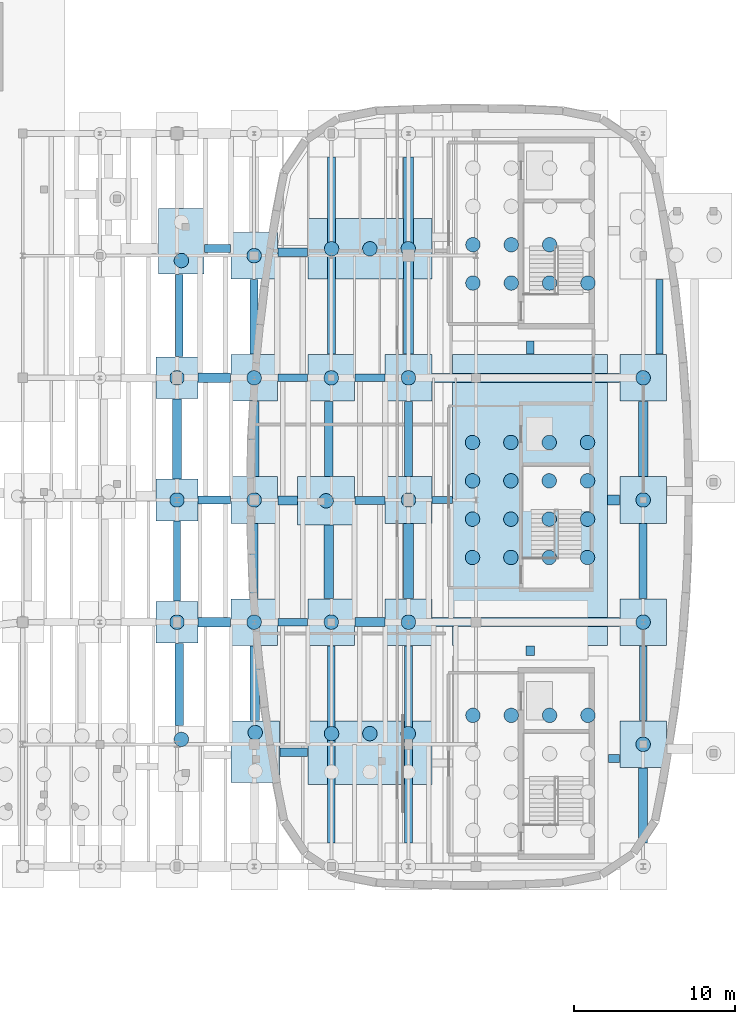
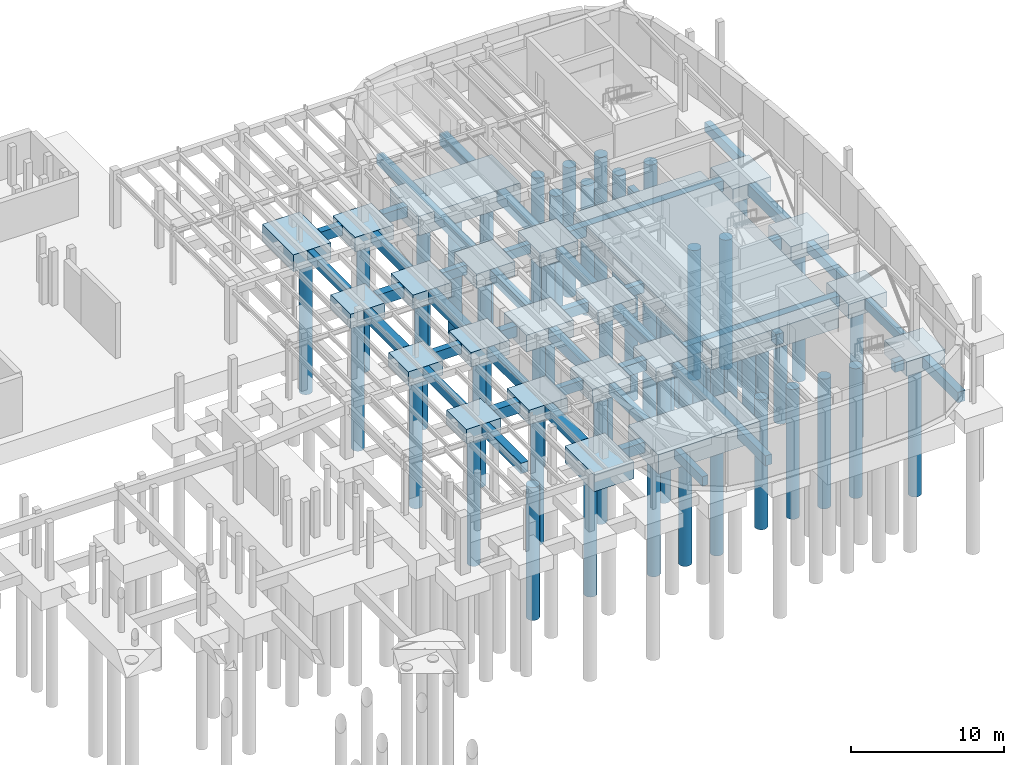
# One storey, part 7 of 45: 62 footings, 53 piles.
"""IFC4 building model written with IfcOpenShell, lengths in metres."""

from ifc_helpers import new_model, si_unit, direction, frame, origin, origin_2d, place, context, subcontext, project, spatial, rectangle, circle, extrude, material, material_profile, profile_set, type_object, element, save


model = new_model("IFC4")

# Units and contexts
model_context = context("Model", 3, precision=1e-05, world=origin(), true_north=direction((0.0, 1.0)))
body_context = subcontext(model_context, "Body", "Model", "MODEL_VIEW")
ifc_project = project(units=[si_unit("LENGTHUNIT", "METRE"), si_unit("AREAUNIT", "SQUARE_METRE"), si_unit("VOLUMEUNIT", "CUBIC_METRE"), si_unit("PLANEANGLEUNIT", "RADIAN"), si_unit("MASSUNIT", "GRAM", prefix="KILO")], contexts=[model_context])

# Site, building, storey
site_placement = place(None, origin())
site = spatial("IfcSite", under=ifc_project, at=site_placement, CompositionType="ELEMENT")
building_placement = place(site_placement, origin())
building = spatial("IfcBuilding", under=site, at=building_placement, Name="Corveleigh Park Community Centre", CompositionType="ELEMENT")
storey_placement = place(building_placement, frame((0.0, 0.0, -4.199951171875)))
storey = spatial("IfcBuildingStorey", under=building, at=storey_placement, Name="B1", CompositionType="ELEMENT", Elevation=-4.199951171875)

# Footings
ifc_material_1 = material(Name="Concrete C40/50", Category="concrete")
footing_type_1 = type_object("IfcFootingType", Name="FTG-GB-450x750", PredefinedType="FOOTING_BEAM", material=ifc_material_1)
footing_1_placement = place(storey_placement, frame((139.39990234375, 77.60009765625, -1.1650390625), z_axis=(0.0, 0.0, 1.0), x_axis=(1.0, 0.0, 0.0)))
element("IfcFooting", 1, at=footing_1_placement, inside=storey, type_object=footing_type_1, Name="Ground tie beam 173", PredefinedType="FOOTING_BEAM", context=body_context, shape_type="SweptSolid", body=[
    extrude(rectangle(XDim=0.449951171875, YDim=4.9599609375, at=origin_2d()), origin(), (0.0, 0.0, 1.0), 0.75),
])
footing_2_placement = place(storey_placement, frame((139.535888671875, 92.875, -1.1650390625), z_axis=(0.0, 0.0, 1.0), x_axis=(1.0, 0.0, 0.0)))
element("IfcFooting", 2, at=footing_2_placement, inside=storey, type_object=footing_type_1, Name="Ground tie beam 177", PredefinedType="FOOTING_BEAM", context=body_context, shape_type="SweptSolid", body=[
    extrude(rectangle(XDim=0.449951171875, YDim=5.110107421875, at=origin_2d()), origin(), (0.0, 0.0, 1.0), 0.75),
])
for number, where, z_axis, x_axis, name in (
    (3, (146.60009765625, 73.800048828125, -1.1650390625), (0.0, 0.0, 1.0), (1.0, 0.0, 0.0), "Ground tie beam 185"),
    (4, (146.60009765625, 89.0, -1.1650390625), (0.0, 0.0, 1.0), (1.0, 0.0, 0.0), "Ground tie beam 189"),
):
    element("IfcFooting", number, at=place(storey_placement, frame(where, z_axis=z_axis, x_axis=x_axis)), inside=storey, type_object=footing_type_1, Name=name, PredefinedType="FOOTING_BEAM", context=body_context, shape_type="SweptSolid", body=[
        extrude(rectangle(XDim=1.860107421875, YDim=0.449951171875, at=origin_2d()), origin(), (0.0, 0.0, 1.0), 0.75),
    ])
footing_3_placement = place(storey_placement, frame((149.0, 66.199951171875, -1.1650390625), z_axis=(0.0, 0.0, 1.0), x_axis=(1.0, 0.0, 0.0)))
element("IfcFooting", 5, at=footing_3_placement, inside=storey, type_object=footing_type_1, Name="Ground tie beam 197", PredefinedType="FOOTING_BEAM", context=body_context, shape_type="SweptSolid", body=[
    extrude(rectangle(XDim=0.449951171875, YDim=12.260009765625, at=origin_2d()), origin(), (0.0, 0.0, 1.0), 0.75),
])
footing_4_placement = place(storey_placement, frame((151.39990234375, 89.0, -1.1650390625), z_axis=(0.0, 0.0, 1.0), x_axis=(1.0, 0.0, 0.0)))
element("IfcFooting", 6, at=footing_4_placement, inside=storey, type_object=footing_type_1, Name="Ground tie beam 201", PredefinedType="FOOTING_BEAM", context=body_context, shape_type="SweptSolid", body=[
    extrude(rectangle(XDim=1.860107421875, YDim=0.449951171875, at=origin_2d()), origin(), (0.0, 0.0, 1.0), 0.75),
])
footing_5_placement = place(storey_placement, frame((155.89990234375, 81.39990234375, -1.1650390625), z_axis=(0.0, 0.0, 1.0), x_axis=(1.0, 0.0, 0.0)))
element("IfcFooting", 7, at=footing_5_placement, inside=storey, type_object=footing_type_1, Name="Ground tie beam 209", PredefinedType="FOOTING_BEAM", context=body_context, shape_type="SweptSolid", body=[
    extrude(rectangle(XDim=1.260009765625, YDim=0.449951171875, at=origin_2d()), origin(), (0.0, 0.0, 1.0), 0.75),
])
footing_6_placement = place(storey_placement, frame((161.375, 90.875, -1.1650390625), z_axis=(0.0, 0.0, 1.0), x_axis=(1.0, 0.0, 0.0)))
element("IfcFooting", 8, at=footing_6_placement, inside=storey, type_object=footing_type_1, Name="Ground tie beam 217", PredefinedType="FOOTING_BEAM", context=body_context, shape_type="SweptSolid", body=[
    extrude(rectangle(XDim=0.449951171875, YDim=0.81005859375, at=origin_2d()), origin(), (0.0, 0.0, 1.0), 0.75),
])
for number, where, z_axis, x_axis, name in (
    (9, (168.39990234375, 70.0, -1.1650390625), (0.0, 0.0, 1.0), (1.0, 0.0, 0.0), "Ground tie beam 221"),
    (10, (169.4208984375, 92.800048828125, -1.1650390625), (0.0, 0.0, 1.0), (1.0, 0.0, 0.0), "Ground tie beam 225"),
):
    element("IfcFooting", number, at=place(storey_placement, frame(where, z_axis=z_axis, x_axis=x_axis)), inside=storey, type_object=footing_type_1, Name=name, PredefinedType="FOOTING_BEAM", context=body_context, shape_type="SweptSolid", body=[
        extrude(rectangle(XDim=0.449951171875, YDim=4.659912109375, at=origin_2d()), origin(), (0.0, 0.0, 1.0), 0.75),
    ])
footing_type_2 = type_object("IfcFootingType", Name="FTG-GB-500x800", PredefinedType="FOOTING_BEAM", material=ifc_material_1)
footing_7_placement = place(storey_placement, frame((141.72509765625, 81.39990234375, -1.21484375), z_axis=(0.0, 0.0, 1.0), x_axis=(1.0, 0.0, 0.0)))
element("IfcFooting", 11, at=footing_7_placement, inside=storey, type_object=footing_type_2, Name="Ground tie beam 174", PredefinedType="FOOTING_BEAM", context=body_context, shape_type="SweptSolid", body=[
    extrude(rectangle(XDim=2.010009765625, YDim=0.5, at=origin_2d()), origin(), (0.0, 0.0, 1.0), 0.800048828125),
])
footing_8_placement = place(storey_placement, frame((141.9208984375, 97.0439453125, -1.21484375), z_axis=(0.0, 0.0, 1.0), x_axis=(1.0, 0.0, 0.0)))
element("IfcFooting", 12, at=footing_8_placement, inside=storey, type_object=footing_type_2, Name="Ground tie beam 178", PredefinedType="FOOTING_BEAM", context=body_context, shape_type="SweptSolid", body=[
    extrude(rectangle(XDim=1.618896484375, YDim=0.5, at=origin_2d()), origin(), (0.0, 0.0, 1.0), 0.800048828125),
])
for number, where, z_axis, x_axis, name in (
    (13, (144.199951171875, 77.60009765625, -1.21484375), (0.0, 0.0, 1.0), (1.0, 0.0, 0.0), "Ground tie beam 186"),
    (14, (144.199951171875, 92.800048828125, -1.21484375), (0.0, 0.0, 1.0), (1.0, 0.0, 0.0), "Ground tie beam 190"),
):
    element("IfcFooting", number, at=place(storey_placement, frame(where, z_axis=z_axis, x_axis=x_axis)), inside=storey, type_object=footing_type_2, Name=name, PredefinedType="FOOTING_BEAM", context=body_context, shape_type="SweptSolid", body=[
        extrude(rectangle(XDim=0.5, YDim=4.659912109375, at=origin_2d()), origin(), (0.0, 0.0, 1.0), 0.800048828125),
    ])
footing_9_placement = place(storey_placement, frame((151.39990234375, 81.375, -1.21484375), z_axis=(0.0, 0.0, 1.0), x_axis=(1.0, 0.0, 0.0)))
element("IfcFooting", 15, at=footing_9_placement, inside=storey, type_object=footing_type_2, Name="Ground tie beam 194", PredefinedType="FOOTING_BEAM", context=body_context, shape_type="SweptSolid", body=[
    extrude(rectangle(XDim=1.860107421875, YDim=0.5, at=origin_2d()), origin(), (0.0, 0.0, 1.0), 0.800048828125),
])
for number, where, z_axis, x_axis, name in (
    (16, (149.0, 96.60009765625, -1.21484375), (0.0, 0.0, 1.0), (1.0, 0.0, 0.0), "Ground tie beam 202"),
    (17, (153.800048828125, 66.199951171875, -1.21484375), (0.0, 0.0, 1.0), (1.0, 0.0, 0.0), "Ground tie beam 206"),
):
    element("IfcFooting", number, at=place(storey_placement, frame(where, z_axis=z_axis, x_axis=x_axis)), inside=storey, type_object=footing_type_2, Name=name, PredefinedType="FOOTING_BEAM", context=body_context, shape_type="SweptSolid", body=[
        extrude(rectangle(XDim=0.5, YDim=12.260009765625, at=origin_2d()), origin(), (0.0, 0.0, 1.0), 0.800048828125),
    ])
footing_10_placement = place(storey_placement, frame((153.800048828125, 85.199951171875, -1.21484375), z_axis=(0.0, 0.0, 1.0), x_axis=(1.0, 0.0, 0.0)))
element("IfcFooting", 18, at=footing_10_placement, inside=storey, type_object=footing_type_2, Name="Ground tie beam 210", PredefinedType="FOOTING_BEAM", context=body_context, shape_type="SweptSolid", body=[
    extrude(rectangle(XDim=0.5, YDim=4.659912109375, at=origin_2d()), origin(), (0.0, 0.0, 1.0), 0.800048828125),
])
footing_11_placement = place(storey_placement, frame((166.5869140625, 65.31201171875, -1.21484375), z_axis=(0.0, 0.0, 1.0), x_axis=(1.0, 0.0, 0.0)))
element("IfcFooting", 19, at=footing_11_placement, inside=storey, type_object=footing_type_2, Name="Ground tie beam 214", PredefinedType="FOOTING_BEAM", context=body_context, shape_type="SweptSolid", body=[
    extrude(rectangle(XDim=0.68603515625, YDim=0.5, at=origin_2d()), origin(), (0.0, 0.0, 1.0), 0.800048828125),
])
footing_12_placement = place(storey_placement, frame((168.39990234375, 77.60009765625, -1.21484375), z_axis=(0.0, 0.0, 1.0), x_axis=(1.0, 0.0, 0.0)))
element("IfcFooting", 20, at=footing_12_placement, inside=storey, type_object=footing_type_2, Name="Ground tie beam 222", PredefinedType="FOOTING_BEAM", context=body_context, shape_type="SweptSolid", body=[
    extrude(rectangle(XDim=0.5, YDim=4.659912109375, at=origin_2d()), origin(), (0.0, 0.0, 1.0), 0.800048828125),
])
footing_type_3 = type_object("IfcFootingType", Name="FTG-GB-550x850", PredefinedType="FOOTING_BEAM", material=ifc_material_1)
footing_13_placement = place(storey_placement, frame((139.535888671875, 69.925048828125, -1.26513671875), z_axis=(0.0, 0.0, 1.0), x_axis=(1.0, 0.0, 0.0)))
element("IfcFooting", 21, at=footing_13_placement, inside=storey, type_object=footing_type_3, Name="Ground tie beam 171", PredefinedType="FOOTING_BEAM", context=body_context, shape_type="SweptSolid", body=[
    extrude(rectangle(XDim=0.550048828125, YDim=5.110107421875, at=origin_2d()), origin(), (0.0, 0.0, 1.0), 0.85009765625),
])
footing_14_placement = place(storey_placement, frame((139.39990234375, 85.199951171875, -1.26513671875), z_axis=(0.0, 0.0, 1.0), x_axis=(1.0, 0.0, 0.0)))
element("IfcFooting", 22, at=footing_14_placement, inside=storey, type_object=footing_type_3, Name="Ground tie beam 175", PredefinedType="FOOTING_BEAM", context=body_context, shape_type="SweptSolid", body=[
    extrude(rectangle(XDim=0.550048828125, YDim=4.9599609375, at=origin_2d()), origin(), (0.0, 0.0, 1.0), 0.85009765625),
])
footing_15_placement = place(storey_placement, frame((146.6640625, 65.7041015625, -1.26513671875), z_axis=(0.0, 0.0, 1.0), x_axis=(1.0, 0.0, 0.0)))
element("IfcFooting", 23, at=footing_15_placement, inside=storey, type_object=footing_type_3, Name="Ground tie beam 183", PredefinedType="FOOTING_BEAM", context=body_context, shape_type="SweptSolid", body=[
    extrude(rectangle(XDim=1.73193359375, YDim=0.550048828125, at=origin_2d()), origin(), (0.0, 0.0, 1.0), 0.85009765625),
])
footing_16_placement = place(storey_placement, frame((146.277099609375, 81.375, -1.26513671875), z_axis=(0.0, 0.0, 1.0), x_axis=(1.0, 0.0, 0.0)))
element("IfcFooting", 24, at=footing_16_placement, inside=storey, type_object=footing_type_3, Name="Ground tie beam 187", PredefinedType="FOOTING_BEAM", context=body_context, shape_type="SweptSolid", body=[
    extrude(rectangle(XDim=1.214111328125, YDim=0.550048828125, at=origin_2d()), origin(), (0.0, 0.0, 1.0), 0.85009765625),
])
footing_17_placement = place(storey_placement, frame((146.60009765625, 96.81396484375, -1.26513671875), z_axis=(0.0, 0.0, 1.0), x_axis=(1.0, 0.0, 0.0)))
element("IfcFooting", 25, at=footing_17_placement, inside=storey, type_object=footing_type_3, Name="Ground tie beam 191", PredefinedType="FOOTING_BEAM", context=body_context, shape_type="SweptSolid", body=[
    extrude(rectangle(XDim=1.860107421875, YDim=0.550048828125, at=origin_2d()), origin(), (0.0, 0.0, 1.0), 0.85009765625),
])
footing_18_placement = place(storey_placement, frame((148.839111328125, 85.199951171875, -1.26513671875), z_axis=(0.0, 0.0, 1.0), x_axis=(1.0, 0.0, 0.0)))
element("IfcFooting", 26, at=footing_18_placement, inside=storey, type_object=footing_type_3, Name="Ground tie beam 195", PredefinedType="FOOTING_BEAM", context=body_context, shape_type="SweptSolid", body=[
    extrude(rectangle(XDim=0.550048828125, YDim=4.659912109375, at=origin_2d()), origin(), (0.0, 0.0, 1.0), 0.85009765625),
])
footing_19_placement = place(storey_placement, frame((151.39990234375, 73.800048828125, -1.26513671875), z_axis=(0.0, 0.0, 1.0), x_axis=(1.0, 0.0, 0.0)))
element("IfcFooting", 27, at=footing_19_placement, inside=storey, type_object=footing_type_3, Name="Ground tie beam 199", PredefinedType="FOOTING_BEAM", context=body_context, shape_type="SweptSolid", body=[
    extrude(rectangle(XDim=1.860107421875, YDim=0.550048828125, at=origin_2d()), origin(), (0.0, 0.0, 1.0), 0.85009765625),
])
for number, where, z_axis, x_axis, name in (
    (28, (161.10009765625, 73.800048828125, -1.26513671875), (0.0, 0.0, 1.0), (1.0, 0.0, 0.0), "Ground tie beam 207"),
    (29, (161.10009765625, 89.0, -1.26513671875), (0.0, 0.0, 1.0), (1.0, 0.0, 0.0), "Ground tie beam 211"),
):
    element("IfcFooting", number, at=place(storey_placement, frame(where, z_axis=z_axis, x_axis=x_axis)), inside=storey, type_object=footing_type_3, Name=name, PredefinedType="FOOTING_BEAM", context=body_context, shape_type="SweptSolid", body=[
        extrude(rectangle(XDim=11.659912109375, YDim=0.550048828125, at=origin_2d()), origin(), (0.0, 0.0, 1.0), 0.85009765625),
    ])
footing_20_placement = place(storey_placement, frame((161.375, 72.02490234375, -1.26513671875), z_axis=(0.0, 0.0, 1.0), x_axis=(1.0, 0.0, 0.0)))
element("IfcFooting", 30, at=footing_20_placement, inside=storey, type_object=footing_type_3, Name="Ground tie beam 215", PredefinedType="FOOTING_BEAM", context=body_context, shape_type="SweptSolid", body=[
    extrude(rectangle(XDim=0.550048828125, YDim=0.610107421875, at=origin_2d()), origin(), (0.0, 0.0, 1.0), 0.85009765625),
])
footing_21_placement = place(storey_placement, frame((168.39990234375, 62.39990234375, -1.26513671875), z_axis=(0.0, 0.0, 1.0), x_axis=(1.0, 0.0, 0.0)))
element("IfcFooting", 31, at=footing_21_placement, inside=storey, type_object=footing_type_3, Name="Ground tie beam 219", PredefinedType="FOOTING_BEAM", context=body_context, shape_type="SweptSolid", body=[
    extrude(rectangle(XDim=0.550048828125, YDim=4.659912109375, at=origin_2d()), origin(), (0.0, 0.0, 1.0), 0.85009765625),
])
footing_type_4 = type_object("IfcFootingType", Name="FTG-GB-600x900", PredefinedType="FOOTING_BEAM", material=ifc_material_1)
for number, where, z_axis, x_axis, name in (
    (32, (141.72509765625, 73.800048828125, -1.31494140625), (0.0, 0.0, 1.0), (1.0, 0.0, 0.0), "Ground tie beam 172"),
    (33, (141.72509765625, 89.0, -1.31494140625), (0.0, 0.0, 1.0), (1.0, 0.0, 0.0), "Ground tie beam 176"),
):
    element("IfcFooting", number, at=place(storey_placement, frame(where, z_axis=z_axis, x_axis=x_axis)), inside=storey, type_object=footing_type_4, Name=name, PredefinedType="FOOTING_BEAM", context=body_context, shape_type="SweptSolid", body=[
        extrude(rectangle(XDim=2.010009765625, YDim=0.60009765625, at=origin_2d()), origin(), (0.0, 0.0, 1.0), 0.89990234375),
    ])
for number, where, z_axis, x_axis, name in (
    (34, (144.23193359375, 70.0, -1.31494140625), (0.0, 0.0, 1.0), (1.0, 0.0, 0.0), "Ground tie beam 184"),
    (35, (144.199951171875, 85.199951171875, -1.31494140625), (0.0, 0.0, 1.0), (1.0, 0.0, 0.0), "Ground tie beam 188"),
):
    element("IfcFooting", number, at=place(storey_placement, frame(where, z_axis=z_axis, x_axis=x_axis)), inside=storey, type_object=footing_type_4, Name=name, PredefinedType="FOOTING_BEAM", context=body_context, shape_type="SweptSolid", body=[
        extrude(rectangle(XDim=0.60009765625, YDim=4.659912109375, at=origin_2d()), origin(), (0.0, 0.0, 1.0), 0.89990234375),
    ])
footing_22_placement = place(storey_placement, frame((148.839111328125, 77.550048828125, -1.31494140625), z_axis=(0.0, 0.0, 1.0), x_axis=(1.0, 0.0, 0.0)))
element("IfcFooting", 36, at=footing_22_placement, inside=storey, type_object=footing_type_4, Name="Ground tie beam 200", PredefinedType="FOOTING_BEAM", context=body_context, shape_type="SweptSolid", body=[
    extrude(rectangle(XDim=0.60009765625, YDim=4.56005859375, at=origin_2d()), origin(), (0.0, 0.0, 1.0), 0.89990234375),
])
footing_23_placement = place(storey_placement, frame((153.800048828125, 77.60009765625, -1.31494140625), z_axis=(0.0, 0.0, 1.0), x_axis=(1.0, 0.0, 0.0)))
element("IfcFooting", 37, at=footing_23_placement, inside=storey, type_object=footing_type_4, Name="Ground tie beam 208", PredefinedType="FOOTING_BEAM", context=body_context, shape_type="SweptSolid", body=[
    extrude(rectangle(XDim=0.60009765625, YDim=4.659912109375, at=origin_2d()), origin(), (0.0, 0.0, 1.0), 0.89990234375),
])
footing_24_placement = place(storey_placement, frame((153.800048828125, 96.60009765625, -1.31494140625), z_axis=(0.0, 0.0, 1.0), x_axis=(1.0, 0.0, 0.0)))
element("IfcFooting", 38, at=footing_24_placement, inside=storey, type_object=footing_type_4, Name="Ground tie beam 212", PredefinedType="FOOTING_BEAM", context=body_context, shape_type="SweptSolid", body=[
    extrude(rectangle(XDim=0.60009765625, YDim=12.260009765625, at=origin_2d()), origin(), (0.0, 0.0, 1.0), 0.89990234375),
])
footing_25_placement = place(storey_placement, frame((166.56298828125, 81.39990234375, -1.31494140625), z_axis=(0.0, 0.0, 1.0), x_axis=(1.0, 0.0, 0.0)))
element("IfcFooting", 39, at=footing_25_placement, inside=storey, type_object=footing_type_4, Name="Ground tie beam 216", PredefinedType="FOOTING_BEAM", context=body_context, shape_type="SweptSolid", body=[
    extrude(rectangle(XDim=0.735107421875, YDim=0.60009765625, at=origin_2d()), origin(), (0.0, 0.0, 1.0), 0.89990234375),
])
footing_26_placement = place(storey_placement, frame((168.39990234375, 85.199951171875, -1.31494140625), z_axis=(0.0, 0.0, 1.0), x_axis=(1.0, 0.0, 0.0)))
element("IfcFooting", 40, at=footing_26_placement, inside=storey, type_object=footing_type_4, Name="Ground tie beam 224", PredefinedType="FOOTING_BEAM", context=body_context, shape_type="SweptSolid", body=[
    extrude(rectangle(XDim=0.60009765625, YDim=4.659912109375, at=origin_2d()), origin(), (0.0, 0.0, 1.0), 0.89990234375),
])
footing_type_5 = type_object("IfcFootingType", Name="FTG-PC-2600x2600x1150", PredefinedType="PILE_CAP", material=ifc_material_1)
for number, where, z_axis, x_axis, name in (
    (41, (139.39990234375, 73.800048828125, -1.56494140625), (0.0, 0.0, 1.0), (1.0, 0.0, 0.0), "Pile cap 135"),
    (42, (139.39990234375, 81.39990234375, -1.56494140625), (0.0, 0.0, 1.0), (1.0, 0.0, 0.0), "Pile cap 136"),
    (43, (139.39990234375, 89.0, -1.56494140625), (0.0, 0.0, 1.0), (1.0, 0.0, 0.0), "Pile cap 137"),
):
    element("IfcFooting", number, at=place(storey_placement, frame(where, z_axis=z_axis, x_axis=x_axis)), inside=storey, type_object=footing_type_5, Name=name, PredefinedType="PILE_CAP", context=body_context, shape_type="SweptSolid", body=[
        extrude(rectangle(XDim=2.60009765625, YDim=2.60009765625, at=origin_2d()), origin(), (0.0, 0.0, 1.0), 1.14990234375),
    ])
for number, where, z_axis, x_axis, name in (
    (44, (144.199951171875, 73.800048828125, -1.56494140625), (0.0, 0.0, 1.0), (1.0, 0.0, 0.0), "Pile cap 142"),
    (45, (144.199951171875, 81.39990234375, -1.56494140625), (0.0, 0.0, 1.0), (1.0, 0.0, 0.0), "Pile cap 143"),
    (46, (144.199951171875, 89.0, -1.56494140625), (0.0, 0.0, 1.0), (1.0, 0.0, 0.0), "Pile cap 144"),
    (47, (144.199951171875, 96.60009765625, -1.56494140625), (0.0, 0.0, 1.0), (1.0, 0.0, 0.0), "Pile cap 145"),
    (48, (149.0, 73.800048828125, -1.56494140625), (0.0, 0.0, 1.0), (1.0, 0.0, 0.0), "Pile cap 150"),
    (49, (149.0, 89.0, -1.56494140625), (0.0, 0.0, 1.0), (1.0, 0.0, 0.0), "Pile cap 151"),
    (50, (153.800048828125, 73.800048828125, -1.56494140625), (0.0, 0.0, 1.0), (1.0, 0.0, 0.0), "Pile cap 155"),
    (51, (153.800048828125, 81.39990234375, -1.56494140625), (0.0, 0.0, 1.0), (1.0, 0.0, 0.0), "Pile cap 156"),
    (52, (153.800048828125, 89.0, -1.56494140625), (0.0, 0.0, 1.0), (1.0, 0.0, 0.0), "Pile cap 157"),
    (53, (168.39990234375, 66.199951171875, -1.56494140625), (0.0, 0.0, 1.0), (1.0, 0.0, 0.0), "Pile cap 163"),
    (54, (168.39990234375, 73.800048828125, -1.56494140625), (0.0, 0.0, 1.0), (1.0, 0.0, 0.0), "Pile cap 164"),
    (55, (168.39990234375, 81.39990234375, -1.56494140625), (0.0, 0.0, 1.0), (1.0, 0.0, 0.0), "Pile cap 165"),
    (56, (168.39990234375, 89.0, -1.56494140625), (0.0, 0.0, 1.0), (1.0, 0.0, 0.0), "Pile cap 166"),
):
    element("IfcFooting", number, at=place(storey_placement, frame(where, z_axis=z_axis, x_axis=x_axis)), inside=storey, type_object=footing_type_5, Name=name, PredefinedType="PILE_CAP", context=body_context, shape_type="SweptSolid", body=[
        extrude(rectangle(XDim=2.89990234375, YDim=2.89990234375, at=origin_2d()), origin(), (0.0, 0.0, 1.0), 1.14990234375),
    ])
footing_type_6 = type_object("IfcFootingType", Name="FTG-PC-3800x3200x1350", PredefinedType="PILE_CAP", material=ifc_material_1)
footing_27_placement = place(storey_placement, frame((139.6708984375, 97.488037109375, -1.76513671875), z_axis=(0.0, 0.0, 1.0), x_axis=(1.0, 0.0, 0.0)))
element("IfcFooting", 57, at=footing_27_placement, inside=storey, type_object=footing_type_6, Name="Pile cap 138", PredefinedType="PILE_CAP", context=body_context, shape_type="SweptSolid", body=[
    extrude(rectangle(XDim=2.841064453125, YDim=4.075927734375, at=origin_2d()), origin(), (0.0, 0.0, 1.0), 1.35009765625),
])
footing_28_placement = place(storey_placement, frame((144.263916015625, 65.737060546875, -1.76513671875), z_axis=(0.0, 0.0, 1.0), x_axis=(1.0, 0.0, 0.0)))
element("IfcFooting", 58, at=footing_28_placement, inside=storey, type_object=footing_type_6, Name="Pile cap 141", PredefinedType="PILE_CAP", context=body_context, shape_type="SweptSolid", body=[
    extrude(rectangle(XDim=3.029052734375, YDim=3.826904296875, at=origin_2d()), origin(), (0.0, 0.0, 1.0), 1.35009765625),
])
footing_29_placement = place(storey_placement, frame((148.677001953125, 81.35009765625, -1.76513671875), z_axis=(0.0, 0.0, 1.0), x_axis=(1.0, 0.0, 0.0)))
element("IfcFooting", 59, at=footing_29_placement, inside=storey, type_object=footing_type_6, Name="Pile cap 147", PredefinedType="PILE_CAP", context=body_context, shape_type="SweptSolid", body=[
    extrude(rectangle(XDim=3.547119140625, YDim=3.0, at=origin_2d()), origin(), (0.0, 0.0, 1.0), 1.35009765625),
])
footing_type_7 = type_object("IfcFootingType", Name="FTG-PC-8400x6000x1550", PredefinedType="PILE_CAP", material=ifc_material_1)
footing_30_placement = place(storey_placement, frame((151.39990234375, 65.672119140625, -1.96484375), z_axis=(0.0, 0.0, 1.0), x_axis=(1.0, 0.0, 0.0)))
element("IfcFooting", 60, at=footing_30_placement, inside=storey, type_object=footing_type_7, Name="Pile cap 149", PredefinedType="PILE_CAP", context=body_context, shape_type="SweptSolid", body=[
    extrude(rectangle(XDim=7.699951171875, YDim=3.9560546875, at=origin_2d()), origin(), (0.0, 0.0, 1.0), 1.550048828125),
])
footing_31_placement = place(storey_placement, frame((151.39990234375, 97.028076171875, -1.96484375), z_axis=(0.0, 0.0, 1.0), x_axis=(1.0, 0.0, 0.0)))
element("IfcFooting", 61, at=footing_31_placement, inside=storey, type_object=footing_type_7, Name="Pile cap 152", PredefinedType="PILE_CAP", context=body_context, shape_type="SweptSolid", body=[
    extrude(rectangle(XDim=7.699951171875, YDim=3.756103515625, at=origin_2d()), origin(), (0.0, 0.0, 1.0), 1.550048828125),
])
footing_type_8 = type_object("IfcFootingType", Name="FTG-PC-9800x7200x1600", PredefinedType="PILE_CAP", material=ifc_material_1)
footing_32_placement = place(storey_placement, frame((161.363037109375, 81.39990234375, -2.01513671875), z_axis=(0.0, 0.0, 1.0), x_axis=(1.0, 0.0, 0.0)))
element("IfcFooting", 62, at=footing_32_placement, inside=storey, type_object=footing_type_8, Name="Pile cap 160", PredefinedType="PILE_CAP", context=body_context, shape_type="SweptSolid", body=[
    extrude(rectangle(XDim=9.625, YDim=18.10009765625, at=origin_2d()), origin(), (0.0, 0.0, 1.0), 1.60009765625),
])

# Piles
ifc_material_2 = material(Name="Concrete C32/40", Category="concrete")
ifc_material_profile = material_profile(ifc_material_2, circle(Radius=0.449951171875, at=origin_2d()), Name="BORED-PILE-900", Category="concrete")
ifc_profile_set = profile_set([ifc_material_profile], Name="Concrete C32/40")
pile_type = type_object("IfcPileType", Name="PIL-BRD-900", PredefinedType="BORED", material=ifc_profile_set)
pile_1_placement = place(storey_placement, frame((139.6708984375, 66.5048828125, -1.6650390625), z_axis=(0.0, 0.0, -1.0), x_axis=(1.0, 0.0, 0.0)))
element("IfcPile", 63, at=pile_1_placement, inside=storey, type_object=pile_type, Name="Rotary bored pile C134-2", PredefinedType="BORED", context=body_context, shape_type="SweptSolid", body=[
    extrude(circle(Radius=0.449951171875, at=origin_2d()), origin(), (0.0, 0.0, 1.0), 10.635009765625),
])
for number, where, z_axis, x_axis, name in (
    (64, (139.39990234375, 73.800048828125, -1.465087890625), (0.0, 0.0, -1.0), (1.0, 0.0, 0.0), "Rotary bored pile C135-1"),
    (65, (139.39990234375, 81.39990234375, -1.465087890625), (0.0, 0.0, -1.0), (1.0, 0.0, 0.0), "Rotary bored pile C136-1"),
    (66, (139.39990234375, 89.0, -1.465087890625), (0.0, 0.0, -1.0), (1.0, 0.0, 0.0), "Rotary bored pile C137-1"),
):
    element("IfcPile", number, at=place(storey_placement, frame(where, z_axis=z_axis, x_axis=x_axis)), inside=storey, type_object=pile_type, Name=name, PredefinedType="BORED", context=body_context, shape_type="SweptSolid", body=[
        extrude(circle(Radius=0.449951171875, at=origin_2d()), origin(), (0.0, 0.0, 1.0), 10.8349609375),
    ])
for number, where, z_axis, x_axis, name in (
    (67, (139.6708984375, 96.2958984375, -1.6650390625), (0.0, 0.0, -1.0), (1.0, 0.0, 0.0), "Rotary bored pile C138-1"),
    (68, (144.263916015625, 66.929931640625, -1.6650390625), (0.0, 0.0, -1.0), (1.0, 0.0, 0.0), "Rotary bored pile C141-2"),
):
    element("IfcPile", number, at=place(storey_placement, frame(where, z_axis=z_axis, x_axis=x_axis)), inside=storey, type_object=pile_type, Name=name, PredefinedType="BORED", context=body_context, shape_type="SweptSolid", body=[
        extrude(circle(Radius=0.449951171875, at=origin_2d()), origin(), (0.0, 0.0, 1.0), 10.635009765625),
    ])
for number, where, z_axis, x_axis, name in (
    (69, (144.199951171875, 73.800048828125, -1.465087890625), (0.0, 0.0, -1.0), (1.0, 0.0, 0.0), "Rotary bored pile C142-1"),
    (70, (144.199951171875, 81.39990234375, -1.465087890625), (0.0, 0.0, -1.0), (1.0, 0.0, 0.0), "Rotary bored pile C143-1"),
    (71, (144.199951171875, 89.0, -1.465087890625), (0.0, 0.0, -1.0), (1.0, 0.0, 0.0), "Rotary bored pile C144-1"),
    (72, (144.199951171875, 96.60009765625, -1.465087890625), (0.0, 0.0, -1.0), (1.0, 0.0, 0.0), "Rotary bored pile C145-1"),
):
    element("IfcPile", number, at=place(storey_placement, frame(where, z_axis=z_axis, x_axis=x_axis)), inside=storey, type_object=pile_type, Name=name, PredefinedType="BORED", context=body_context, shape_type="SweptSolid", body=[
        extrude(circle(Radius=0.449951171875, at=origin_2d()), origin(), (0.0, 0.0, 1.0), 10.8349609375),
    ])
pile_2_placement = place(storey_placement, frame((148.677001953125, 81.35009765625, -1.6650390625), z_axis=(0.0, 0.0, -1.0), x_axis=(1.0, 0.0, 0.0)))
element("IfcPile", 73, at=pile_2_placement, inside=storey, type_object=pile_type, Name="Rotary bored pile C147-1", PredefinedType="BORED", context=body_context, shape_type="SweptSolid", body=[
    extrude(circle(Radius=0.449951171875, at=origin_2d()), origin(), (0.0, 0.0, 1.0), 10.635009765625),
])
for number, where, z_axis, x_axis, name in (
    (74, (149.014892578125, 66.864990234375, -1.864990234375), (0.0, 0.0, -1.0), (1.0, 0.0, 0.0), "Rotary bored pile C149-2"),
    (75, (151.39990234375, 66.864990234375, -1.864990234375), (0.0, 0.0, -1.0), (1.0, 0.0, 0.0), "Rotary bored pile C149-4"),
    (76, (153.784912109375, 66.864990234375, -1.864990234375), (0.0, 0.0, -1.0), (1.0, 0.0, 0.0), "Rotary bored pile C149-6"),
):
    element("IfcPile", number, at=place(storey_placement, frame(where, z_axis=z_axis, x_axis=x_axis)), inside=storey, type_object=pile_type, Name=name, PredefinedType="BORED", context=body_context, shape_type="SweptSolid", body=[
        extrude(circle(Radius=0.449951171875, at=origin_2d()), origin(), (0.0, 0.0, 1.0), 10.43505859375),
    ])
for number, where, z_axis, x_axis, name in (
    (77, (149.0, 73.800048828125, -1.465087890625), (0.0, 0.0, -1.0), (1.0, 0.0, 0.0), "Rotary bored pile C150-1"),
    (78, (149.0, 89.0, -1.465087890625), (0.0, 0.0, -1.0), (1.0, 0.0, 0.0), "Rotary bored pile C151-1"),
):
    element("IfcPile", number, at=place(storey_placement, frame(where, z_axis=z_axis, x_axis=x_axis)), inside=storey, type_object=pile_type, Name=name, PredefinedType="BORED", context=body_context, shape_type="SweptSolid", body=[
        extrude(circle(Radius=0.449951171875, at=origin_2d()), origin(), (0.0, 0.0, 1.0), 10.8349609375),
    ])
for number, where, z_axis, x_axis, name in (
    (79, (149.014892578125, 97.028076171875, -1.864990234375), (0.0, 0.0, -1.0), (1.0, 0.0, 0.0), "Rotary bored pile C152-1"),
    (80, (151.39990234375, 97.028076171875, -1.864990234375), (0.0, 0.0, -1.0), (1.0, 0.0, 0.0), "Rotary bored pile C152-2"),
    (81, (153.784912109375, 97.028076171875, -1.864990234375), (0.0, 0.0, -1.0), (1.0, 0.0, 0.0), "Rotary bored pile C152-3"),
):
    element("IfcPile", number, at=place(storey_placement, frame(where, z_axis=z_axis, x_axis=x_axis)), inside=storey, type_object=pile_type, Name=name, PredefinedType="BORED", context=body_context, shape_type="SweptSolid", body=[
        extrude(circle(Radius=0.449951171875, at=origin_2d()), origin(), (0.0, 0.0, 1.0), 10.43505859375),
    ])
for number, where, z_axis, x_axis, name in (
    (82, (153.800048828125, 73.800048828125, -1.465087890625), (0.0, 0.0, -1.0), (1.0, 0.0, 0.0), "Rotary bored pile C155-1"),
    (83, (153.800048828125, 81.39990234375, -1.465087890625), (0.0, 0.0, -1.0), (1.0, 0.0, 0.0), "Rotary bored pile C156-1"),
    (84, (153.800048828125, 89.0, -1.465087890625), (0.0, 0.0, -1.0), (1.0, 0.0, 0.0), "Rotary bored pile C157-1"),
):
    element("IfcPile", number, at=place(storey_placement, frame(where, z_axis=z_axis, x_axis=x_axis)), inside=storey, type_object=pile_type, Name=name, PredefinedType="BORED", context=body_context, shape_type="SweptSolid", body=[
        extrude(circle(Radius=0.449951171875, at=origin_2d()), origin(), (0.0, 0.0, 1.0), 10.8349609375),
    ])
for number, where, z_axis, x_axis, name in (
    (85, (157.81005859375, 68.001953125, -1.9150390625), (0.0, 0.0, -1.0), (1.0, 0.0, 0.0), "Rotary bored pile C159-4"),
    (86, (160.195068359375, 68.001953125, -1.9150390625), (0.0, 0.0, -1.0), (1.0, 0.0, 0.0), "Rotary bored pile C159-8"),
    (87, (162.580078125, 68.001953125, -1.9150390625), (0.0, 0.0, -1.0), (1.0, 0.0, 0.0), "Rotary bored pile C159-12"),
    (88, (164.965087890625, 68.001953125, -1.9150390625), (0.0, 0.0, -1.0), (1.0, 0.0, 0.0), "Rotary bored pile C159-16"),
    (89, (157.785888671875, 77.822998046875, -1.9150390625), (0.0, 0.0, -1.0), (1.0, 0.0, 0.0), "Rotary bored pile C160-1"),
    (90, (157.785888671875, 80.2080078125, -1.9150390625), (0.0, 0.0, -1.0), (1.0, 0.0, 0.0), "Rotary bored pile C160-2"),
    (91, (157.785888671875, 82.593017578125, -1.9150390625), (0.0, 0.0, -1.0), (1.0, 0.0, 0.0), "Rotary bored pile C160-3"),
    (92, (157.785888671875, 84.97802734375, -1.9150390625), (0.0, 0.0, -1.0), (1.0, 0.0, 0.0), "Rotary bored pile C160-4"),
    (93, (160.1708984375, 77.822998046875, -1.9150390625), (0.0, 0.0, -1.0), (1.0, 0.0, 0.0), "Rotary bored pile C160-5"),
    (94, (160.1708984375, 80.2080078125, -1.9150390625), (0.0, 0.0, -1.0), (1.0, 0.0, 0.0), "Rotary bored pile C160-6"),
    (95, (160.1708984375, 82.593017578125, -1.9150390625), (0.0, 0.0, -1.0), (1.0, 0.0, 0.0), "Rotary bored pile C160-7"),
    (96, (160.1708984375, 84.97802734375, -1.9150390625), (0.0, 0.0, -1.0), (1.0, 0.0, 0.0), "Rotary bored pile C160-8"),
    (97, (162.555908203125, 77.822998046875, -1.9150390625), (0.0, 0.0, -1.0), (1.0, 0.0, 0.0), "Rotary bored pile C160-9"),
    (98, (162.555908203125, 80.2080078125, -1.9150390625), (0.0, 0.0, -1.0), (1.0, 0.0, 0.0), "Rotary bored pile C160-10"),
    (99, (162.555908203125, 82.593017578125, -1.9150390625), (0.0, 0.0, -1.0), (1.0, 0.0, 0.0), "Rotary bored pile C160-11"),
    (100, (162.555908203125, 84.97802734375, -1.9150390625), (0.0, 0.0, -1.0), (1.0, 0.0, 0.0), "Rotary bored pile C160-12"),
    (101, (164.94091796875, 77.822998046875, -1.9150390625), (0.0, 0.0, -1.0), (1.0, 0.0, 0.0), "Rotary bored pile C160-13"),
    (102, (164.94091796875, 80.2080078125, -1.9150390625), (0.0, 0.0, -1.0), (1.0, 0.0, 0.0), "Rotary bored pile C160-14"),
    (103, (164.94091796875, 82.593017578125, -1.9150390625), (0.0, 0.0, -1.0), (1.0, 0.0, 0.0), "Rotary bored pile C160-15"),
    (104, (164.94091796875, 84.97802734375, -1.9150390625), (0.0, 0.0, -1.0), (1.0, 0.0, 0.0), "Rotary bored pile C160-16"),
    (105, (157.81005859375, 94.89697265625, -1.9150390625), (0.0, 0.0, -1.0), (1.0, 0.0, 0.0), "Rotary bored pile C161-1"),
    (106, (157.81005859375, 97.281982421875, -1.9150390625), (0.0, 0.0, -1.0), (1.0, 0.0, 0.0), "Rotary bored pile C161-2"),
    (107, (160.195068359375, 94.89697265625, -1.9150390625), (0.0, 0.0, -1.0), (1.0, 0.0, 0.0), "Rotary bored pile C161-5"),
    (108, (160.195068359375, 97.281982421875, -1.9150390625), (0.0, 0.0, -1.0), (1.0, 0.0, 0.0), "Rotary bored pile C161-6"),
    (109, (162.580078125, 94.89697265625, -1.9150390625), (0.0, 0.0, -1.0), (1.0, 0.0, 0.0), "Rotary bored pile C161-9"),
    (110, (162.580078125, 97.281982421875, -1.9150390625), (0.0, 0.0, -1.0), (1.0, 0.0, 0.0), "Rotary bored pile C161-10"),
    (111, (164.965087890625, 94.89697265625, -1.9150390625), (0.0, 0.0, -1.0), (1.0, 0.0, 0.0), "Rotary bored pile C161-13"),
):
    element("IfcPile", number, at=place(storey_placement, frame(where, z_axis=z_axis, x_axis=x_axis)), inside=storey, type_object=pile_type, Name=name, PredefinedType="BORED", context=body_context, shape_type="SweptSolid", body=[
        extrude(circle(Radius=0.449951171875, at=origin_2d()), origin(), (0.0, 0.0, 1.0), 10.385009765625),
    ])
for number, where, z_axis, x_axis, name in (
    (112, (168.39990234375, 66.199951171875, -1.465087890625), (0.0, 0.0, -1.0), (1.0, 0.0, 0.0), "Rotary bored pile C163-1"),
    (113, (168.39990234375, 73.800048828125, -1.465087890625), (0.0, 0.0, -1.0), (1.0, 0.0, 0.0), "Rotary bored pile C164-1"),
    (114, (168.39990234375, 81.39990234375, -1.465087890625), (0.0, 0.0, -1.0), (1.0, 0.0, 0.0), "Rotary bored pile C165-1"),
    (115, (168.39990234375, 89.0, -1.465087890625), (0.0, 0.0, -1.0), (1.0, 0.0, 0.0), "Rotary bored pile C166-1"),
):
    element("IfcPile", number, at=place(storey_placement, frame(where, z_axis=z_axis, x_axis=x_axis)), inside=storey, type_object=pile_type, Name=name, PredefinedType="BORED", context=body_context, shape_type="SweptSolid", body=[
        extrude(circle(Radius=0.449951171875, at=origin_2d()), origin(), (0.0, 0.0, 1.0), 10.8349609375),
    ])

save(model, "model.ifc")
